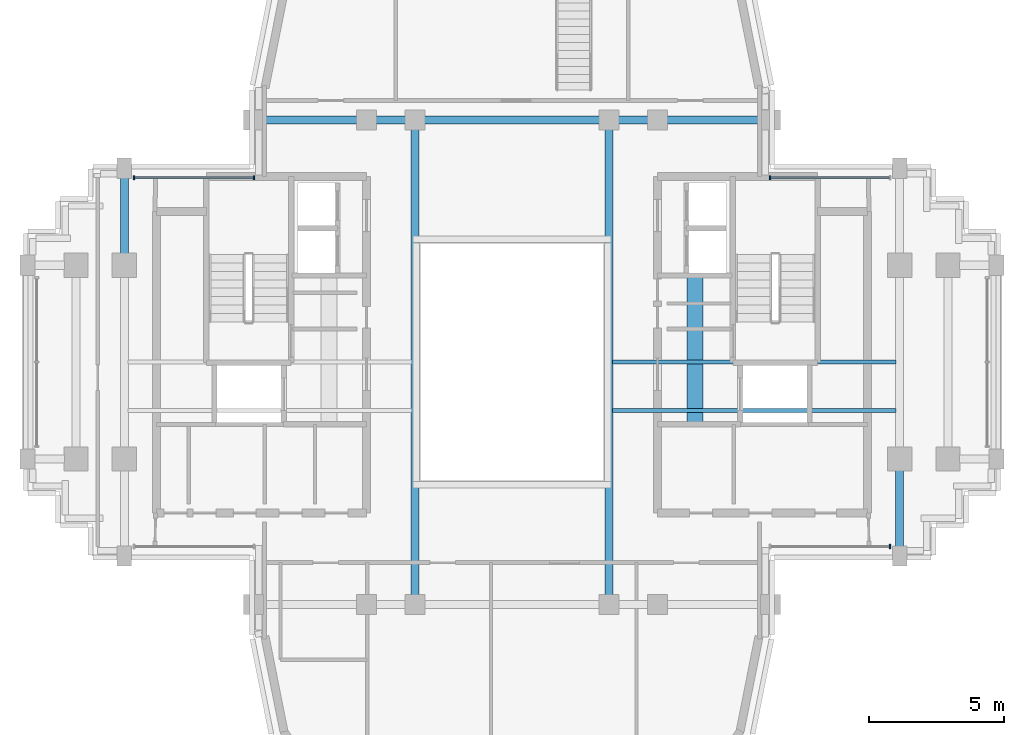
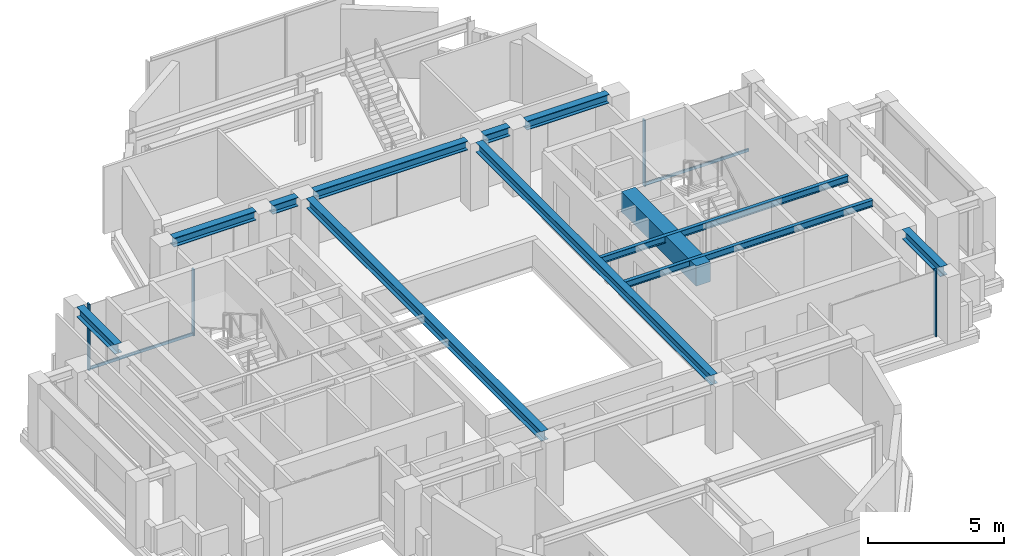
# One storey, part 5 of 13: 12 beams, 6 members, 3 elements without a shape of their own.
"""IFC4 building model written with IfcOpenShell, lengths in metres."""

from ifc_helpers import new_model, si_unit, direction, frame, origin, origin_2d, place, context, subcontext, project, spatial, rectangle, i_section, extrude, source, transform, mapped, material, material_profile, profile_set, type_object, element, aggregate, save


model = new_model("IFC4")

# Units and contexts
model_context = context("Model", 3, precision=1e-05, world=origin(), true_north=direction((0.0, 1.0)))
body_context = subcontext(model_context, "Body", "Model", "MODEL_VIEW")
ifc_project = project(units=[si_unit("LENGTHUNIT", "METRE"), si_unit("AREAUNIT", "SQUARE_METRE"), si_unit("VOLUMEUNIT", "CUBIC_METRE"), si_unit("PLANEANGLEUNIT", "RADIAN"), si_unit("MASSUNIT", "GRAM", prefix="KILO")], contexts=[model_context])

# Site, building, storey
site_placement = place(None, origin())
site = spatial("IfcSite", under=ifc_project, at=site_placement, CompositionType="ELEMENT")
building_placement = place(site_placement, origin())
building = spatial("IfcBuilding", under=site, at=building_placement, Name="Keilestroom Media Tower", CompositionType="ELEMENT")
storey_placement = place(building_placement, frame((0.0, 0.0, 230.0)))
storey = spatial("IfcBuildingStorey", under=building, at=storey_placement, Name="L63", CompositionType="ELEMENT", Elevation=230.0)

# Beams
ifc_material_1 = material(Name="Concrete C70/85", Category="concrete")
ifc_material_profile_1 = material_profile(ifc_material_1, rectangle(XDim=0.60009765625, YDim=0.89990234375, at=origin_2d()), Name="RC 600x900")
ifc_profile_set_1 = profile_set([ifc_material_profile_1], Name="Concrete C70/85")
beam_type_1 = type_object("IfcBeamType", Name="Core-Coupling-Lintel-Beam-RC-600x900", PredefinedType="LINTEL", material=ifc_profile_set_1)
shared_shape_1 = source(origin(), body_context, "Body", "SweptSolid", [
    extrude(rectangle(XDim=0.60009765625, YDim=0.89990234375, at=origin_2d()), origin(), (0.0, 0.0, 1.0), 5.52001953125),
])
beam_1_placement = place(storey_placement, frame((6.800048828125, -2.300048828125, 2.56005859375), z_axis=(0.0, 1.0, 0.0), x_axis=(-1.0, 0.0, 0.0)))
element("IfcBeam", 1, at=beam_1_placement, inside=storey, type_object=beam_type_1, Name="L63 Beam CLB-1 CLB-L63-E", PredefinedType="LINTEL", context=body_context, shape_type="MappedRepresentation", body=[
    mapped(shared_shape_1, transform((0.0, 0.0, 0.0), x_axis=(1.0, 0.0, 0.0), y_axis=(0.0, 1.0, 0.0), z_axis=(0.0, 0.0, 1.0), scale=1.0)),
])
ifc_material_2 = material(Name="Steel S355", Category="steel")
ifc_material_profile_2 = material_profile(ifc_material_2, i_section(OverallWidth=0.300048828125, OverallDepth=0.39990234375, WebThickness=0.011474609375, FlangeThickness=0.02392578125, at=origin_2d()), Name="HEB 400")
ifc_profile_set_2 = profile_set([ifc_material_profile_2], Name="Steel S355")
beam_type_2 = type_object("IfcBeamType", Name="Primary-Structural-Girder-HEB-400", PredefinedType="BEAM", material=ifc_profile_set_2)
shared_shape_2 = source(origin(), body_context, "Body", "SweptSolid", [
    extrude(i_section(OverallWidth=0.300048828125, OverallDepth=0.39990234375, WebThickness=0.011474609375, FlangeThickness=0.02392578125, at=origin_2d()), origin(), (0.0, 0.0, 1.0), 3.490234375),
])
for number, where, z_axis, x_axis, name in (
    (2, (-9.2451171875, 9.0, 2.81005859375), (1.0, 0.0, 0.0), (0.0, 1.0, 0.0), "L63 Beam BG-8 BM-L63-EW-016"),
    (3, (5.7548828125, 9.0, 2.81005859375), (1.0, 0.0, 0.0), (0.0, 1.0, 0.0), "L63 Beam BG-8 BM-L63-EW-020"),
):
    element("IfcBeam", number, at=place(storey_placement, frame(where, z_axis=z_axis, x_axis=x_axis)), inside=storey, type_object=beam_type_2, Name=name, PredefinedType="BEAM", context=body_context, shape_type="MappedRepresentation", body=[
        mapped(shared_shape_2, transform((0.0, 0.0, 0.0), x_axis=(1.0, 0.0, 0.0), y_axis=(0.0, 1.0, 0.0), z_axis=(0.0, 0.0, 1.0), scale=1.0)),
    ])
shared_shape_3 = source(origin(), body_context, "Body", "SweptSolid", [
    extrude(i_section(OverallWidth=0.300048828125, OverallDepth=0.39990234375, WebThickness=0.011474609375, FlangeThickness=0.02392578125, at=origin_2d()), origin(), (0.0, 0.0, 1.0), 1.08984375),
])
for number, where, z_axis, x_axis, name in (
    (4, (-5.044921875, 9.0, 2.81005859375), (1.0, 0.0, 0.0), (0.0, 1.0, 0.0), "L63 Beam BG-8 BM-L63-EW-017"),
    (5, (3.955078125, 9.0, 2.81005859375), (1.0, 0.0, 0.0), (0.0, 1.0, 0.0), "L63 Beam BG-8 BM-L63-EW-019"),
):
    element("IfcBeam", number, at=place(storey_placement, frame(where, z_axis=z_axis, x_axis=x_axis)), inside=storey, type_object=beam_type_2, Name=name, PredefinedType="BEAM", context=body_context, shape_type="MappedRepresentation", body=[
        mapped(shared_shape_3, transform((0.0, 0.0, 0.0), x_axis=(1.0, 0.0, 0.0), y_axis=(0.0, 1.0, 0.0), z_axis=(0.0, 0.0, 1.0), scale=1.0)),
    ])
shared_shape_4 = source(origin(), body_context, "Body", "SweptSolid", [
    extrude(i_section(OverallWidth=0.300048828125, OverallDepth=0.39990234375, WebThickness=0.011474609375, FlangeThickness=0.02392578125, at=origin_2d()), origin(), (0.0, 0.0, 1.0), 6.490234375),
])
beam_2_placement = place(storey_placement, frame((-3.2451171875, 9.0, 2.81005859375), z_axis=(1.0, 0.0, 0.0), x_axis=(0.0, 1.0, 0.0)))
element("IfcBeam", 6, at=beam_2_placement, inside=storey, type_object=beam_type_2, Name="L63 Beam BG-8 BM-L63-EW-018", PredefinedType="BEAM", context=body_context, shape_type="MappedRepresentation", body=[
    mapped(shared_shape_4, transform((0.0, 0.0, 0.0), x_axis=(1.0, 0.0, 0.0), y_axis=(0.0, 1.0, 0.0), z_axis=(0.0, 0.0, 1.0), scale=1.0)),
])
ifc_material_profile_3 = material_profile(ifc_material_2, i_section(OverallWidth=0.300048828125, OverallDepth=0.43994140625, WebThickness=0.011474609375, FlangeThickness=0.02099609375, at=origin_2d()), Name="HEA 450")
ifc_profile_set_3 = profile_set([ifc_material_profile_3], Name="Steel S355")
beam_type_3 = type_object("IfcBeamType", Name="Primary-Structural-Girder-HEA-450", PredefinedType="BEAM", material=ifc_profile_set_3)
shared_shape_5 = source(origin(), body_context, "Body", "SweptSolid", [
    extrude(i_section(OverallWidth=0.300048828125, OverallDepth=0.43994140625, WebThickness=0.011474609375, FlangeThickness=0.02099609375, at=origin_2d()), origin(), (0.0, 0.0, 1.0), 2.81494140625),
])
for number, where, z_axis, x_axis, name in (
    (7, (-14.39990234375, 4.030029296875, 2.7900390625), (0.0, 1.0, 0.0), (-1.0, 0.0, 0.0), "L63 Beam BG-11 BM-L63-NS-029"),
    (8, (14.39990234375, -6.844970703125, 2.7900390625), (0.0, 1.0, 0.0), (-1.0, 0.0, 0.0), "L63 Beam BG-11 BM-L63-NS-040"),
):
    element("IfcBeam", number, at=place(storey_placement, frame(where, z_axis=z_axis, x_axis=x_axis)), inside=storey, type_object=beam_type_3, Name=name, PredefinedType="BEAM", context=body_context, shape_type="MappedRepresentation", body=[
        mapped(shared_shape_5, transform((0.0, 0.0, 0.0), x_axis=(1.0, 0.0, 0.0), y_axis=(0.0, 1.0, 0.0), z_axis=(0.0, 0.0, 1.0), scale=1.0)),
    ])
shared_shape_6 = source(origin(), body_context, "Body", "SweptSolid", [
    extrude(i_section(OverallWidth=0.300048828125, OverallDepth=0.43994140625, WebThickness=0.011474609375, FlangeThickness=0.02099609375, at=origin_2d()), origin(), (0.0, 0.0, 1.0), 17.2900390625),
])
for number, where, z_axis, x_axis, name in (
    (9, (-3.60009765625, -8.64501953125, 2.7900390625), (0.0, 1.0, 0.0), (-1.0, 0.0, 0.0), "L63 Beam BG-11 BM-L63-NS-033"),
    (10, (3.60009765625, -8.64501953125, 2.7900390625), (0.0, 1.0, 0.0), (-1.0, 0.0, 0.0), "L63 Beam BG-11 BM-L63-NS-036"),
):
    element("IfcBeam", number, at=place(storey_placement, frame(where, z_axis=z_axis, x_axis=x_axis)), inside=storey, type_object=beam_type_3, Name=name, PredefinedType="BEAM", context=body_context, shape_type="MappedRepresentation", body=[
        mapped(shared_shape_6, transform((0.0, 0.0, 0.0), x_axis=(1.0, 0.0, 0.0), y_axis=(0.0, 1.0, 0.0), z_axis=(0.0, 0.0, 1.0), scale=1.0)),
    ])
ifc_material_profile_4 = material_profile(ifc_material_2, i_section(OverallWidth=0.14990234375, OverallDepth=0.300048828125, WebThickness=0.007080078125, FlangeThickness=0.0107421875, at=origin_2d()), Name="IPE 300")
ifc_profile_set_4 = profile_set([ifc_material_profile_4], Name="Steel S355")
beam_type_4 = type_object("IfcBeamType", Name="Secondary-Floor-Joist-IPE-300", PredefinedType="JOIST", material=ifc_profile_set_4)
shared_shape_7 = source(origin(), body_context, "Body", "SweptSolid", [
    extrude(i_section(OverallWidth=0.14990234375, OverallDepth=0.300048828125, WebThickness=0.007080078125, FlangeThickness=0.0107421875, at=origin_2d()), origin(), (0.0, 0.0, 1.0), 10.5400390625),
])
for number, where, z_axis, x_axis, name in (
    (11, (3.72998046875, -1.800048828125, 2.860107421875), (1.0, 0.0, 0.0), (0.0, 1.0, 0.0), "L63 Beam BJ-7 JST-L63-047"),
    (12, (3.72998046875, 0.0, 2.860107421875), (1.0, 0.0, 0.0), (0.0, 1.0, 0.0), "L63 Beam BJ-7 JST-L63-050"),
):
    element("IfcBeam", number, at=place(storey_placement, frame(where, z_axis=z_axis, x_axis=x_axis)), inside=storey, type_object=beam_type_4, Name=name, PredefinedType="JOIST", context=body_context, shape_type="MappedRepresentation", body=[
        mapped(shared_shape_7, transform((0.0, 0.0, 0.0), x_axis=(1.0, 0.0, 0.0), y_axis=(0.0, 1.0, 0.0), z_axis=(0.0, 0.0, 1.0), scale=1.0)),
    ])

# Curtain wall, members
ifc_material_3 = material(Name="Anodised Aluminium Alloy", Category="aluminium")
curtain_wall_type = type_object("IfcCurtainWallType", Name="Unitised-Curtain-Wall-CW-4", PredefinedType="NOTDEFINED", material=ifc_material_3)
curtain_wall_1_placement = place(storey_placement, origin())
curtain_wall_1 = element("IfcCurtainWall", 13, at=curtain_wall_1_placement, inside=storey, type_object=curtain_wall_type, Name="L63 Curtain Wall CW-4 CW-L63-NW-1", PredefinedType="NOTDEFINED")
ifc_material_profile_5 = material_profile(ifc_material_3, rectangle(XDim=0.06005859375, YDim=0.159912109375, at=origin_2d()), Name="ALU MULLION 60x160")
ifc_profile_set_5 = profile_set([ifc_material_profile_5], Name="Anodised Aluminium Alloy")
member_type_1 = type_object("IfcMemberType", Name="Curtain-Wall-Mullion-CW-4", PredefinedType="MULLION", material=ifc_profile_set_5)
shared_shape_8 = source(origin(), body_context, "Body", "SweptSolid", [
    extrude(rectangle(XDim=0.06005859375, YDim=0.159912109375, at=origin_2d()), origin(), (0.0, 0.0, 1.0), 2.97998046875),
])
member_1_placement = place(storey_placement, frame((-14.034912109375, 6.85009765625, 0.0), z_axis=(0.0, 0.0, 1.0), x_axis=(1.0, 0.0, 0.0)))
member_1 = element("IfcMember", 14, at=member_1_placement, type_object=member_type_1, Name="CW-4 Mullion 00", PredefinedType="MULLION", context=body_context, shape_type="MappedRepresentation", body=[
    mapped(shared_shape_8, transform((0.0, 0.0, 0.0), x_axis=(1.0, 0.0, 0.0), y_axis=(0.0, 1.0, 0.0), z_axis=(0.0, 0.0, 1.0), scale=1.0)),
])
member_2_placement = place(storey_placement, frame((-9.580078125, 6.85009765625, 0.0), z_axis=(0.0, 0.0, 1.0), x_axis=(1.0, 0.0, 0.0)))
member_2 = element("IfcMember", 15, at=member_2_placement, type_object=member_type_1, Name="CW-4 Mullion 01", PredefinedType="MULLION", context=body_context, shape_type="MappedRepresentation", body=[
    mapped(shared_shape_8, transform((0.0, 0.0, 0.0), x_axis=(1.0, 0.0, 0.0), y_axis=(0.0, 1.0, 0.0), z_axis=(0.0, 0.0, 1.0), scale=1.0)),
])

# Curtain wall, member
curtain_wall_2_placement = place(storey_placement, origin())
curtain_wall_2 = element("IfcCurtainWall", 16, at=curtain_wall_2_placement, inside=storey, type_object=curtain_wall_type, Name="L63 Curtain Wall CW-4 CW-L63-NE-1", PredefinedType="NOTDEFINED")
member_3_placement = place(storey_placement, frame((9.580078125, 6.85009765625, 0.0), z_axis=(0.0, 0.0, 1.0), x_axis=(1.0, 0.0, 0.0)))
member_3 = element("IfcMember", 17, at=member_3_placement, type_object=member_type_1, Name="CW-4 Mullion 00", PredefinedType="MULLION", context=body_context, shape_type="MappedRepresentation", body=[
    mapped(shared_shape_8, transform((0.0, 0.0, 0.0), x_axis=(1.0, 0.0, 0.0), y_axis=(0.0, 1.0, 0.0), z_axis=(0.0, 0.0, 1.0), scale=1.0)),
])

curtain_wall_3_placement = place(storey_placement, origin())
curtain_wall_3 = element("IfcCurtainWall", 18, at=curtain_wall_3_placement, inside=storey, type_object=curtain_wall_type, Name="L63 Curtain Wall CW-4 CW-L63-SE-1", PredefinedType="NOTDEFINED")
member_4_placement = place(storey_placement, frame((14.034912109375, -6.85009765625, 0.0), z_axis=(0.0, 0.0, 1.0), x_axis=(1.0, 0.0, 0.0)))
member_4 = element("IfcMember", 19, at=member_4_placement, type_object=member_type_1, Name="CW-4 Mullion 01", PredefinedType="MULLION", context=body_context, shape_type="MappedRepresentation", body=[
    mapped(shared_shape_8, transform((0.0, 0.0, 0.0), x_axis=(1.0, 0.0, 0.0), y_axis=(0.0, 1.0, 0.0), z_axis=(0.0, 0.0, 1.0), scale=1.0)),
])
aggregate(curtain_wall_3, [member_4])

# Member
ifc_material_profile_6 = material_profile(ifc_material_3, rectangle(XDim=0.06005859375, YDim=0.1298828125, at=origin_2d()), Name="ALU TRANSOM 60x130")
ifc_profile_set_6 = profile_set([ifc_material_profile_6], Name="Anodised Aluminium Alloy")
member_type_2 = type_object("IfcMemberType", Name="Curtain-Wall-Transom-CW-4", PredefinedType="USERDEFINED", material=ifc_profile_set_6)
shared_shape_9 = source(origin(), body_context, "Body", "SweptSolid", [
    extrude(rectangle(XDim=0.06005859375, YDim=0.1298828125, at=origin_2d()), origin(), (0.0, 0.0, 1.0), 4.399169921875),
])
member_5_placement = place(storey_placement, frame((-14.007080078125, 6.85009765625, 0.06494140625), z_axis=(1.0, 0.0, 0.0), x_axis=(0.0, 1.0, 0.0)))
member_5 = element("IfcMember", 20, at=member_5_placement, type_object=member_type_2, Name="CW-4 Transom 00.1", ObjectType="TRANSOM", PredefinedType="USERDEFINED", context=body_context, shape_type="MappedRepresentation", body=[
    mapped(shared_shape_9, transform((0.0, 0.0, 0.0), x_axis=(1.0, 0.0, 0.0), y_axis=(0.0, 1.0, 0.0), z_axis=(0.0, 0.0, 1.0), scale=1.0)),
])

aggregate(curtain_wall_1, [member_1, member_2, member_5])

member_6_placement = place(storey_placement, frame((9.60791015625, 6.85009765625, 0.06494140625), z_axis=(1.0, 0.0, 0.0), x_axis=(0.0, 1.0, 0.0)))
member_6 = element("IfcMember", 21, at=member_6_placement, type_object=member_type_2, Name="CW-4 Transom 00.1", ObjectType="TRANSOM", PredefinedType="USERDEFINED", context=body_context, shape_type="MappedRepresentation", body=[
    mapped(shared_shape_9, transform((0.0, 0.0, 0.0), x_axis=(1.0, 0.0, 0.0), y_axis=(0.0, 1.0, 0.0), z_axis=(0.0, 0.0, 1.0), scale=1.0)),
])

aggregate(curtain_wall_2, [member_3, member_6])

save(model, "model.ifc")
